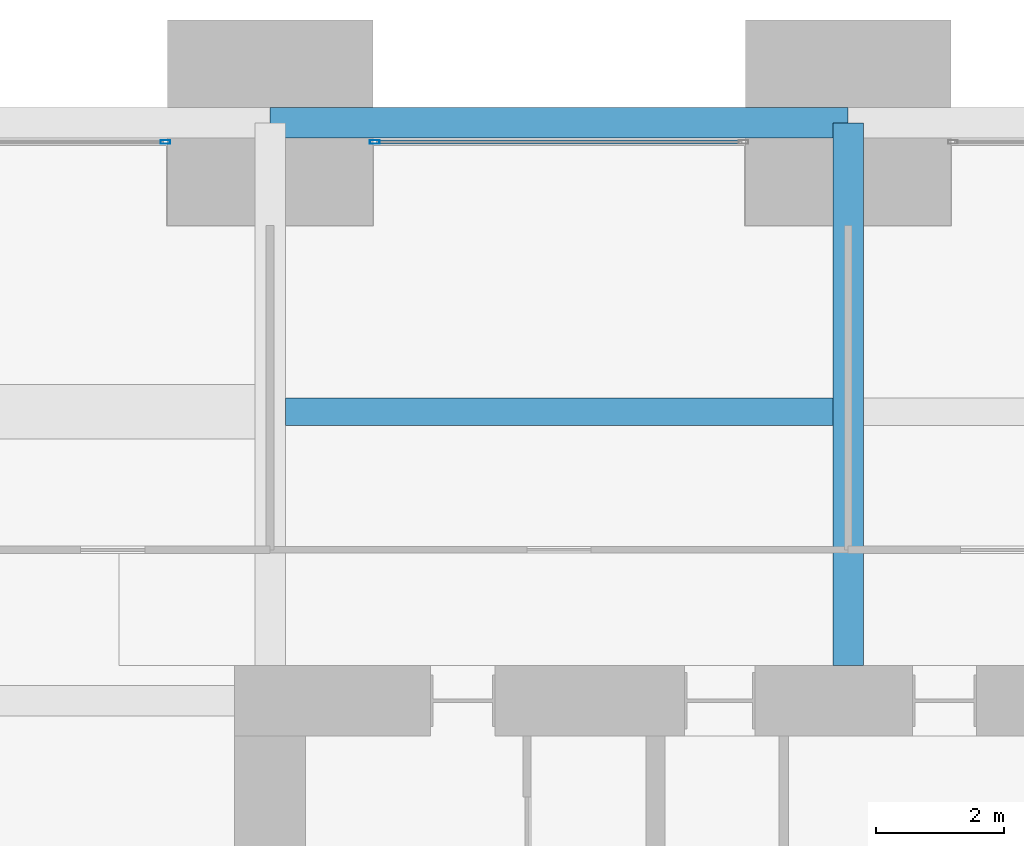
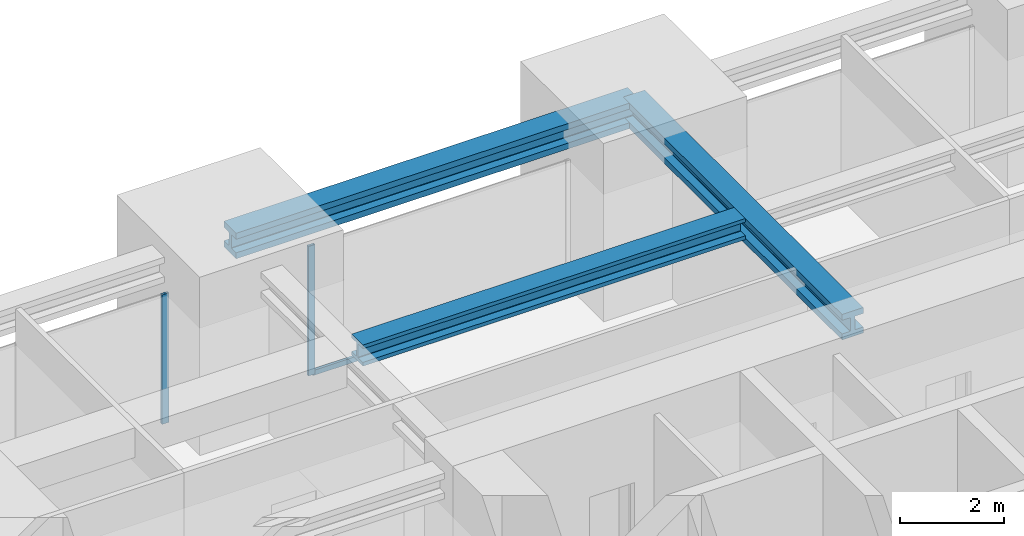
# One storey, part 29 of 39: 3 beams, 3 members, 2 elements without a shape of their own.
"""IFC4 building model written with IfcOpenShell, lengths in metres."""

from ifc_helpers import new_model, si_unit, direction, frame, origin, origin_2d, place, context, subcontext, project, spatial, hollow_rectangle, i_section, extrude, material, material_profile, profile_set, type_object, element, aggregate, save


model = new_model("IFC4")

# Units and contexts
model_context = context("Model", 3, precision=1e-05, world=origin(), true_north=direction((0.0, 1.0)))
body_context = subcontext(model_context, "Body", "Model", "MODEL_VIEW")
ifc_project = project(units=[si_unit("LENGTHUNIT", "METRE"), si_unit("AREAUNIT", "SQUARE_METRE"), si_unit("VOLUMEUNIT", "CUBIC_METRE"), si_unit("PLANEANGLEUNIT", "RADIAN"), si_unit("MASSUNIT", "GRAM", prefix="KILO")], contexts=[model_context])

# Site, building, storey
site_placement = place(None, origin())
site = spatial("IfcSite", under=ifc_project, at=site_placement, CompositionType="ELEMENT")
building_placement = place(site_placement, origin())
building = spatial("IfcBuilding", under=site, at=building_placement, Name="Zorevar Civic Tower", CompositionType="ELEMENT")
storey_placement = place(building_placement, frame((0.0, 0.0, 230.199951171875)))
storey = spatial("IfcBuildingStorey", under=building, at=storey_placement, Name="L56", CompositionType="ELEMENT", Elevation=230.199951171875)

# Beam
ifc_material_1 = material(Name="Steel S460M (HISTAR 460)", Category="steel")
ifc_material_profile_1 = material_profile(ifc_material_1, i_section(OverallWidth=0.47607421875, OverallDepth=0.60009765625, WebThickness=0.10009765625, FlangeThickness=0.139892578125, FilletRadius=0.014892578125, at=origin_2d()), Name="HD 400x1299")
ifc_profile_set_1 = profile_set([ifc_material_profile_1], Name="Steel S460M (HISTAR 460)")
beam_type_1 = type_object("IfcBeamType", Name="Belt chord HD 400x1299", PredefinedType="BEAM", material=ifc_profile_set_1)
beam_1_placement = place(storey_placement, frame((18.0, 45.0, 3.550048828125), z_axis=(1.0, 0.0, 0.0), x_axis=(0.0, 1.0, 0.0)))
element("IfcBeam", 1, at=beam_1_placement, inside=storey, type_object=beam_type_1, Name="Belt chord L57", PredefinedType="BEAM", context=body_context, shape_type="SweptSolid", body=[
    extrude(i_section(OverallWidth=0.47607421875, OverallDepth=0.60009765625, WebThickness=0.10009765625, FlangeThickness=0.139892578125, FilletRadius=0.014892578125, at=origin_2d()), origin(), (0.0, 0.0, 1.0), 9.0),
])

# Curtain wall, member
ifc_material_2 = material(Name="Dark grey solar-control glass in black aluminium frame", Category="aluminium")
curtain_wall_type = type_object("IfcCurtainWallType", Name="Curtain wall CW4 high zone", PredefinedType="NOTDEFINED", material=ifc_material_2)
curtain_wall_1_placement = place(storey_placement, origin())
curtain_wall_1 = element("IfcCurtainWall", 2, at=curtain_wall_1_placement, inside=storey, type_object=curtain_wall_type, Name="CW4 L56", PredefinedType="NOTDEFINED")
ifc_material_3 = material(Name="Aluminium, black anodised", Category="aluminium")
ifc_material_profile_2 = material_profile(ifc_material_3, hollow_rectangle(XDim=0.06005859375, YDim=0.14990234375, WallThickness=0.00390625, at=origin_2d()), Name="AL 150x60x4")
ifc_profile_set_2 = profile_set([ifc_material_profile_2], Name="Aluminium, black anodised")
member_type_1 = type_object("IfcMemberType", Name="CW4 mullion AL 150x60x4", PredefinedType="MULLION", material=ifc_profile_set_2)
member_1_placement = place(storey_placement, frame((16.3701171875, 44.699951171875, 0.0), z_axis=(0.0, 0.0, 1.0), x_axis=(0.0, 1.0, 0.0)))
member_1 = element("IfcMember", 3, at=member_1_placement, type_object=member_type_1, Name="CW4 mullion 3", PredefinedType="MULLION", context=body_context, shape_type="SweptSolid", body=[
    extrude(hollow_rectangle(XDim=0.06005859375, YDim=0.14990234375, WallThickness=0.00390625, at=origin_2d()), origin(), (0.0, 0.0, 1.0), 3.050048828125),
])
aggregate(curtain_wall_1, [member_1])

# Curtain wall, members
curtain_wall_2_placement = place(storey_placement, origin())
curtain_wall_2 = element("IfcCurtainWall", 4, at=curtain_wall_2_placement, inside=storey, type_object=curtain_wall_type, Name="CW4 L56", PredefinedType="NOTDEFINED")
member_2_placement = place(storey_placement, frame((19.6298828125, 44.699951171875, 0.0), z_axis=(0.0, 0.0, 1.0), x_axis=(0.0, 1.0, 0.0)))
member_2 = element("IfcMember", 5, at=member_2_placement, type_object=member_type_1, Name="CW4 mullion 1", PredefinedType="MULLION", context=body_context, shape_type="SweptSolid", body=[
    extrude(hollow_rectangle(XDim=0.06005859375, YDim=0.14990234375, WallThickness=0.00390625, at=origin_2d()), origin(), (0.0, 0.0, 1.0), 3.050048828125),
])
ifc_material_4 = material(Name="Aluminium, black anodised", Category="aluminium")
ifc_material_profile_3 = material_profile(ifc_material_4, hollow_rectangle(XDim=0.06005859375, YDim=0.1201171875, WallThickness=0.0029296875, at=origin_2d()), Name="AL 120x60x3")
ifc_profile_set_3 = profile_set([ifc_material_profile_3], Name="Aluminium, black anodised")
member_type_2 = type_object("IfcMemberType", Name="CW4 transom AL 120x60x3", PredefinedType="USERDEFINED", material=ifc_profile_set_3)
member_3_placement = place(storey_placement, frame((19.659912109375, 44.699951171875, 0.030029296875), z_axis=(1.0, 0.0, 0.0), x_axis=(0.0, 1.0, 0.0)))
member_3 = element("IfcMember", 6, at=member_3_placement, type_object=member_type_2, Name="CW4 sill transom", ObjectType="TRANSOM", PredefinedType="USERDEFINED", context=body_context, shape_type="SweptSolid", body=[
    extrude(hollow_rectangle(XDim=0.06005859375, YDim=0.1201171875, WallThickness=0.0029296875, at=origin_2d()), origin(), (0.0, 0.0, 1.0), 5.68017578125),
])
aggregate(curtain_wall_2, [member_2, member_3])

# Beams
ifc_material_5 = material(Name="Steel S460M (HISTAR 460)", Category="steel")
ifc_material_profile_4 = material_profile(ifc_material_5, i_section(OverallWidth=0.431884765625, OverallDepth=0.498046875, WebThickness=0.0556640625, FlangeThickness=0.0888671875, FilletRadius=0.014892578125, at=origin_2d()), Name="HD 400x744")
ifc_profile_set_4 = profile_set([ifc_material_profile_4], Name="Steel S460M (HISTAR 460)")
beam_type_2 = type_object("IfcBeamType", Name="Core bay beam HD 400x744", PredefinedType="BEAM", material=ifc_profile_set_4)
beam_2_placement = place(storey_placement, frame((18.238037109375, 40.5, 3.60107421875), z_axis=(1.0, 0.0, 0.0), x_axis=(0.0, 1.0, 0.0)))
element("IfcBeam", 7, at=beam_2_placement, inside=storey, type_object=beam_type_2, Name="Secondary beam L57", PredefinedType="BEAM", context=body_context, shape_type="SweptSolid", body=[
    extrude(i_section(OverallWidth=0.431884765625, OverallDepth=0.498046875, WebThickness=0.0556640625, FlangeThickness=0.0888671875, FilletRadius=0.014892578125, at=origin_2d()), origin(), (0.0, 0.0, 1.0), 8.52392578125),
])
ifc_material_6 = material(Name="Steel S460M (HISTAR 460)", Category="steel")
ifc_material_profile_5 = material_profile(ifc_material_6, i_section(OverallWidth=0.47607421875, OverallDepth=0.60009765625, WebThickness=0.10009765625, FlangeThickness=0.139892578125, FilletRadius=0.014892578125, at=origin_2d()), Name="HD 400x1299")
ifc_profile_set_5 = profile_set([ifc_material_profile_5], Name="Steel S460M (HISTAR 460)")
beam_type_3 = type_object("IfcBeamType", Name="Outrigger chord HD 400x1299", PredefinedType="BEAM", material=ifc_profile_set_5)
beam_3_placement = place(storey_placement, frame((27.0, 36.550048828125, 3.550048828125), z_axis=(0.0, 1.0, 0.0), x_axis=(-1.0, 0.0, 0.0)))
element("IfcBeam", 8, at=beam_3_placement, inside=storey, type_object=beam_type_3, Name="Outrigger chord L57", PredefinedType="BEAM", context=body_context, shape_type="SweptSolid", body=[
    extrude(i_section(OverallWidth=0.47607421875, OverallDepth=0.60009765625, WebThickness=0.10009765625, FlangeThickness=0.139892578125, FilletRadius=0.014892578125, at=origin_2d()), origin(), (0.0, 0.0, 1.0), 8.449951171875),
])

save(model, "model.ifc")
